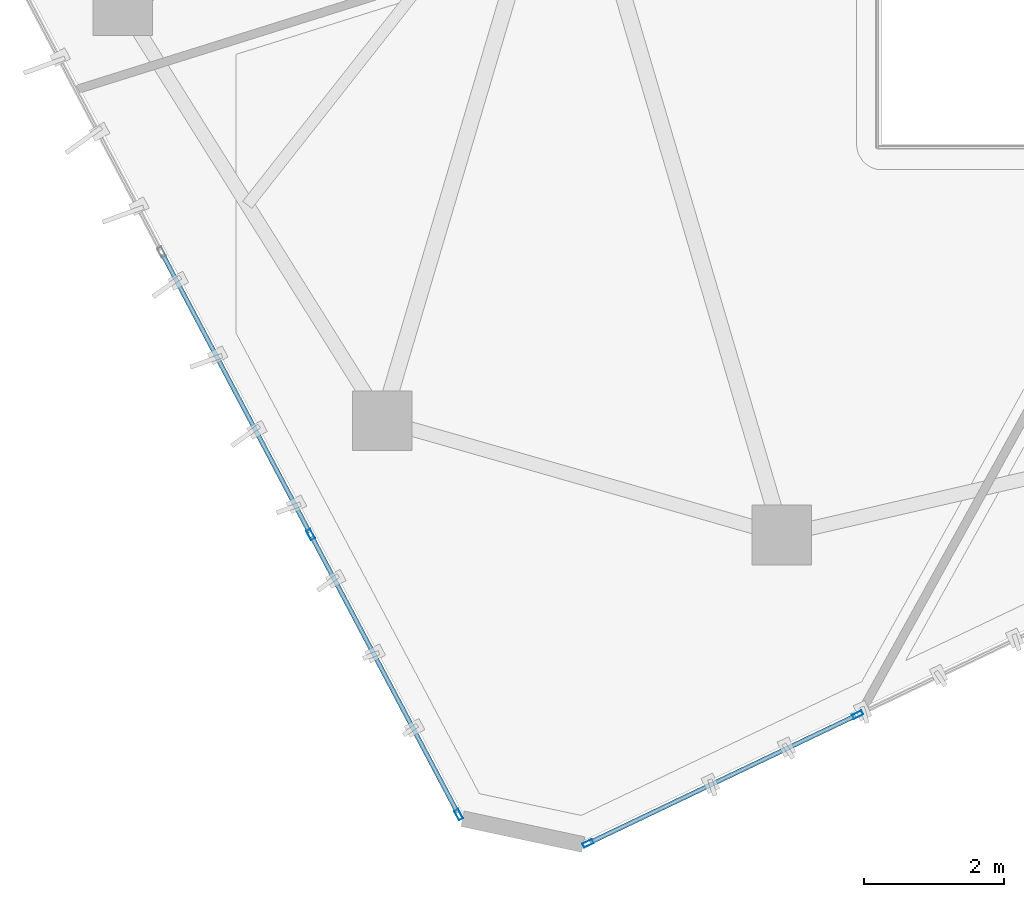
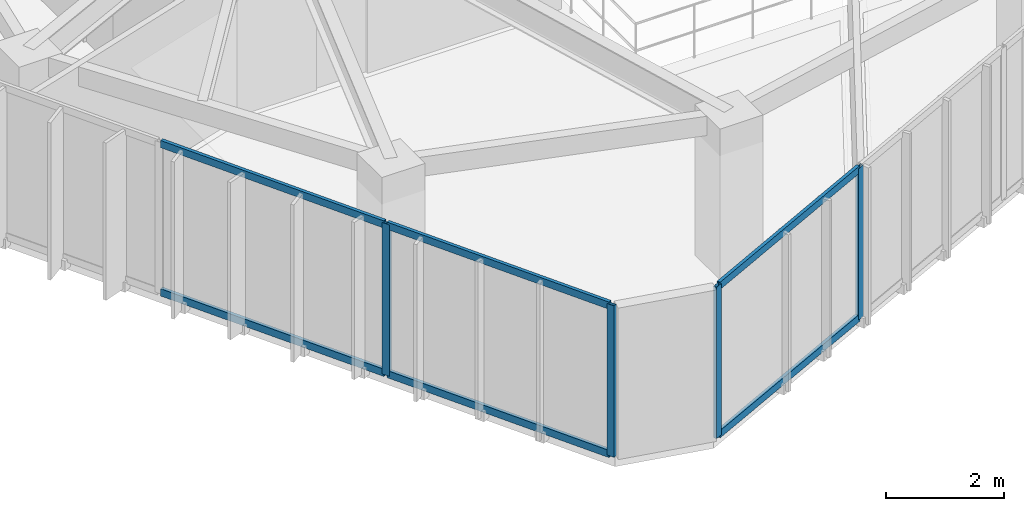
# One storey, part 2 of 20: 10 members, 2 elements without a shape of their own.
"""IFC4 building model written with IfcOpenShell, lengths in metres."""

import ifcopenshell
import ifcopenshell.guid

model = None  # the IFC model being written
_history = None  # IfcOwnerHistory: only IFC2X3 demands one
_inside = {}  # id of a spatial element -> (the spatial element, [elements in it])
_under = {}  # id of a project, library or spatial element -> (it, [spatial elements below it])
_declared = {}  # id of a project -> (the project, [libraries it declares])
_typed = {}  # id of a type object -> (the type object, [elements of that type])
_made_of = {}  # id of a material, layer set ... -> (it, [elements and type objects made of it])


def new_model(schema):
    """Start an empty IFC model of exactly this schema.

    Asked for "IFC4X3", IfcOpenShell would pick the latest addendum, in which some entities
    have other attributes; the version numbers below select the first issue.
    IFC2X3 requires an IfcOwnerHistory on every rooted entity: one is made here for all.
    """
    global model, _history
    if schema == "IFC4X3":
        model = ifcopenshell.file(schema_version=(4, 3, 0, 0))
    else:
        model = ifcopenshell.file(schema=schema)
    _inside.clear()
    _under.clear()
    _declared.clear()
    _typed.clear()
    _made_of.clear()
    _history = None
    if model.schema == "IFC2X3":
        org = make("IfcOrganization", Name="unknown")
        user = make(
            "IfcPersonAndOrganization",
            ThePerson=make("IfcPerson", FamilyName="unknown"),
            TheOrganization=org,
        )
        app = make(
            "IfcApplication",
            ApplicationDeveloper=org,
            Version="unknown",
            ApplicationFullName="unknown",
            ApplicationIdentifier="unknown",
        )
        _history = make(
            "IfcOwnerHistory",
            OwningUser=user,
            OwningApplication=app,
            ChangeAction="ADDED",
            CreationDate=0,
        )
    return model


def make(cls, **values):
    """One entity of the class cls with the attributes given. An attribute that is None is left unset."""
    return model.create_entity(
        cls, **{name: value for name, value in values.items() if value is not None}
    )


def rooted(cls, **values):
    """An entity with a GlobalId (a new one), such as an element, a storey or a relation."""
    return make(cls, GlobalId=ifcopenshell.guid.new(), OwnerHistory=_history, **values)


def si_unit(unit_type, name, prefix=None):
    """IfcSIUnit, for example si_unit("LENGTHUNIT", "METRE", prefix="MILLI")."""
    return make("IfcSIUnit", UnitType=unit_type, Prefix=prefix, Name=name)


def assignment(units):
    """IfcUnitAssignment: the units of a project."""
    return None if units is None else make("IfcUnitAssignment", Units=units)


def point(xyz):
    """IfcCartesianPoint."""
    return None if xyz is None else make("IfcCartesianPoint", Coordinates=xyz)


def direction(xyz):
    """IfcDirection."""
    return None if xyz is None else make("IfcDirection", DirectionRatios=xyz)


def frame(location, z_axis=None, x_axis=None):
    """IfcAxis2Placement3D, a coordinate frame: its origin and axes. An axis left out is left unset."""
    return make(
        "IfcAxis2Placement3D",
        Location=point(location),
        Axis=direction(z_axis),
        RefDirection=direction(x_axis),
    )


def frame_2d(location, x_axis=None):
    """IfcAxis2Placement2D, a coordinate frame in the plane: its origin and x axis."""
    return make(
        "IfcAxis2Placement2D", Location=point(location), RefDirection=direction(x_axis)
    )


def origin():
    """The frame at (0, 0, 0) with its axes left unset."""
    return frame((0.0, 0.0, 0.0))


def origin_2d():
    """The frame at (0, 0) in the plane with its x axis left unset."""
    return frame_2d((0.0, 0.0))


def place(relative_to, where):
    """IfcLocalPlacement: puts the frame where relative to a parent placement (None: the world)."""
    return make(
        "IfcLocalPlacement", PlacementRelTo=relative_to, RelativePlacement=where
    )


def context(
    kind, dimensions, precision=None, world=None, true_north=None, identifier=None
):
    """IfcGeometricRepresentationContext, for example the 3D "Model" context."""
    return make(
        "IfcGeometricRepresentationContext",
        ContextIdentifier=identifier,
        ContextType=kind,
        CoordinateSpaceDimension=dimensions,
        Precision=precision,
        WorldCoordinateSystem=world,
        TrueNorth=true_north,
    )


def subcontext(parent, identifier, kind, view, scale=None):
    """IfcGeometricRepresentationSubContext, for example "Body" below "Model"."""
    return make(
        "IfcGeometricRepresentationSubContext",
        ContextIdentifier=identifier,
        ContextType=kind,
        ParentContext=parent,
        TargetScale=scale,
        TargetView=view,
    )


def project(units=None, contexts=None):
    """IfcProject with its units and contexts."""
    return rooted(
        "IfcProject",
        Name="project",
        RepresentationContexts=contexts,
        UnitsInContext=assignment(units),
    )


def spatial(cls, under=None, at=None, **own):
    """A site, building, storey or space (cls), placed at a placement, below another one or the project."""
    s = rooted(cls, ObjectPlacement=at, **own)
    if under is not None:
        _under.setdefault(under.id(), (under, []))[1].append(s)
    return s


def profile(cls, at=None, kind="AREA", **sizes):
    """A parametric profile (cls). Its sizes go by their IFC names, for example OverallWidth=200.0."""
    return make(cls, ProfileType=kind, Position=at, **sizes)


def hollow_rectangle(**sizes):
    """IfcRectangleHollowProfileDef."""
    return profile("IfcRectangleHollowProfileDef", **sizes)


def extrude(swept, where, along, depth):
    """IfcExtrudedAreaSolid: the profile swept, set in the frame where, extruded along a direction by depth."""
    return make(
        "IfcExtrudedAreaSolid",
        SweptArea=swept,
        Position=where,
        ExtrudedDirection=direction(along),
        Depth=depth,
    )


def shape(context_of_items, identifier, shape_type, items):
    """IfcShapeRepresentation: the items that make up one representation, for example the "Body"."""
    return make(
        "IfcShapeRepresentation",
        ContextOfItems=context_of_items,
        RepresentationIdentifier=identifier,
        RepresentationType=shape_type,
        Items=items,
    )


def source(mapping_origin, context_of_items, identifier, shape_type, items):
    """IfcRepresentationMap: a shape defined once, which mapped items show again and again."""
    return make(
        "IfcRepresentationMap",
        MappingOrigin=mapping_origin,
        MappedRepresentation=shape(context_of_items, identifier, shape_type, items),
    )


def transform(
    local_origin,
    x_axis=None,
    y_axis=None,
    z_axis=None,
    scale=None,
    scale2=None,
    scale3=None,
    uniform=True,
):
    """IfcCartesianTransformationOperator3D, or its non-uniform kind. x_axis, y_axis, z_axis: its Axis1, 2, 3."""
    if uniform:
        return make(
            "IfcCartesianTransformationOperator3D",
            Axis1=direction(x_axis),
            Axis2=direction(y_axis),
            LocalOrigin=point(local_origin),
            Scale=scale,
            Axis3=direction(z_axis),
        )
    return make(
        "IfcCartesianTransformationOperator3DnonUniform",
        Axis1=direction(x_axis),
        Axis2=direction(y_axis),
        LocalOrigin=point(local_origin),
        Scale=scale,
        Axis3=direction(z_axis),
        Scale2=scale2,
        Scale3=scale3,
    )


def mapped(mapping_source, mapping_target):
    """IfcMappedItem: shows the shape of a source again, moved by a transform."""
    return make(
        "IfcMappedItem", MappingSource=mapping_source, MappingTarget=mapping_target
    )


def material(Name=None, Category=None):
    """IfcMaterial."""
    return make("IfcMaterial", Name=Name, Category=Category)


def layer(
    of_material, thickness, ventilated=None, Name=None, Category=None, Priority=None
):
    """IfcMaterialLayer: one layer of a wall or slab, of a material (None: an air gap)."""
    return make(
        "IfcMaterialLayer",
        Material=of_material,
        LayerThickness=thickness,
        IsVentilated=ventilated,
        Name=Name,
        Category=Category,
        Priority=Priority,
    )


def layer_set(layers, Name=None):
    """IfcMaterialLayerSet."""
    return make("IfcMaterialLayerSet", MaterialLayers=layers, LayerSetName=Name)


def material_profile(
    of_material, cross_section, Name=None, Category=None, Priority=None
):
    """IfcMaterialProfile: a cross section and its material."""
    return make(
        "IfcMaterialProfile",
        Name=Name,
        Material=of_material,
        Profile=cross_section,
        Priority=Priority,
        Category=Category,
    )


def profile_set(profiles, Name=None, composite=None):
    """IfcMaterialProfileSet."""
    return make(
        "IfcMaterialProfileSet",
        Name=Name,
        MaterialProfiles=profiles,
        CompositeProfile=composite,
    )


def made_of(thing, what):
    """Note that an element or type object is made of a material, layer set ...; save() writes the relation."""
    if what is not None:
        _made_of.setdefault(what.id(), (what, []))[1].append(thing)
    return thing


def type_object(cls, material=None, **own):
    """A type object (cls), such as IfcWallType, which elements share."""
    return made_of(rooted(cls, **own), material)


def type_shapes(of_type, sources):
    """Give a type object the sources (RepresentationMaps) that its elements show as mapped items."""
    of_type.RepresentationMaps = sources


def element(
    cls,
    number,
    at=None,
    inside=None,
    cuts=None,
    type_object=None,
    material=None,
    context=None,
    identifier="Body",
    shape_type=None,
    held_by="IfcProductDefinitionShape",
    body=None,
    shapes=None,
    **own,
):
    """One element of the class cls, such as IfcWall. Its Tag is "e" and its number.

    at: its placement. inside: the storey or other place that contains it. cuts: it is an
    opening in that element (IfcRelVoidsElement). A single representation is given by context,
    identifier, shape_type and body (its items); several are given by shapes. held_by: the class
    of the entity that holds the representations. save() writes the other relations.
    """
    e = rooted(cls, Tag="e%d" % number, ObjectPlacement=at, **own)
    if body is not None:
        shapes = [shape(context, identifier, shape_type, body)]
    if shapes is not None:
        e.Representation = make(held_by, Representations=shapes)
    if inside is not None:
        _inside.setdefault(inside.id(), (inside, []))[1].append(e)
    if cuts is not None:
        rooted(
            "IfcRelVoidsElement", RelatingBuildingElement=cuts, RelatedOpeningElement=e
        )
    if type_object is not None:
        _typed.setdefault(type_object.id(), (type_object, []))[1].append(e)
    return made_of(e, material)


def aggregate(whole, parts):
    """IfcRelAggregates: a whole, such as a stair, and the parts it consists of."""
    return rooted("IfcRelAggregates", RelatingObject=whole, RelatedObjects=parts)


def save(model, path):
    """Write the relations noted so far, then the file.

    IfcRelAggregates (storeys below a building ...), IfcRelContainedInSpatialStructure (elements
    in a storey), IfcRelDefinesByType, IfcRelAssociatesMaterial and IfcRelDeclares: one each for
    every whole, place, type object, material and project.
    """
    for whole, parts in _under.values():
        aggregate(whole, parts)
    for where, things in _inside.values():
        rooted(
            "IfcRelContainedInSpatialStructure",
            RelatedElements=things,
            RelatingStructure=where,
        )
    for kind, things in _typed.values():
        rooted("IfcRelDefinesByType", RelatedObjects=things, RelatingType=kind)
    for what, things in _made_of.values():
        rooted("IfcRelAssociatesMaterial", RelatedObjects=things, RelatingMaterial=what)
    for by, libraries in _declared.values():
        rooted("IfcRelDeclares", RelatingContext=by, RelatedDefinitions=libraries)
    model.write(path)


model = new_model("IFC4")

# Units and contexts
model_context = context("Model", 3, precision=1e-05, world=origin(), true_north=direction((0.0, 1.0)))
body_context = subcontext(model_context, "Body", "Model", "MODEL_VIEW")
ifc_project = project(units=[si_unit("LENGTHUNIT", "METRE"), si_unit("AREAUNIT", "SQUARE_METRE"), si_unit("VOLUMEUNIT", "CUBIC_METRE"), si_unit("PLANEANGLEUNIT", "RADIAN"), si_unit("MASSUNIT", "GRAM", prefix="KILO")], contexts=[model_context])

# Site, building, storey
site_placement = place(None, origin())
site = spatial("IfcSite", under=ifc_project, at=site_placement, CompositionType="ELEMENT")
building_placement = place(site_placement, origin())
building = spatial("IfcBuilding", under=site, at=building_placement, Name="Talar Marvaseh", CompositionType="ELEMENT")
storey_placement = place(building_placement, frame((0.0, 0.0, 268.0)))
storey = spatial("IfcBuildingStorey", under=building, at=storey_placement, Name="L71", CompositionType="ELEMENT", Elevation=268.0)

# Curtain wall, members
ifc_material = material(Name="Architectural Aluminium", Category="aluminium")
ifc_layer = layer(ifc_material, 0.179931640625)
ifc_layer_set = layer_set([ifc_layer], Name="Architectural Aluminium")
curtain_wall_type = type_object("IfcCurtainWallType", Name="Unitised High-Wind Sky Curtain Wall Z4", PredefinedType="NOTDEFINED", material=ifc_layer_set)
curtain_wall_1_placement = place(storey_placement, origin())
curtain_wall_1 = element("IfcCurtainWall", 1, at=curtain_wall_1_placement, inside=storey, type_object=curtain_wall_type, Name="L71 Unitised High-Wind Sky Curtain Wall Z4", PredefinedType="NOTDEFINED")
ifc_material_profile_1 = material_profile(ifc_material, hollow_rectangle(XDim=0.06494140625, YDim=0.14990234375, WallThickness=0.00390625, at=origin_2d()), Name="RHS150x65x4")
ifc_profile_set_1 = profile_set([ifc_material_profile_1], Name="Architectural Aluminium")
member_type_1 = type_object("IfcMemberType", Name="Unitised Curtain Wall Slim Mullion RHS150x65x4", PredefinedType="MULLION", material=ifc_profile_set_1)
shared_shape_1 = source(origin(), body_context, "Body", "SweptSolid", [
    extrude(hollow_rectangle(XDim=0.06494140625, YDim=0.14990234375, WallThickness=0.00390625, at=origin_2d()), origin(), (0.0, 0.0, 1.0), 3.139892578125),
])
type_shapes(member_type_1, [shared_shape_1])
member_1_placement = place(storey_placement, frame((17.173828125, 11.058837890625, 0.0), z_axis=(0.0, 0.0, 1.0), x_axis=(-0.884205557891, -0.467097989071, 0.0)))
member_1 = element("IfcMember", 2, at=member_1_placement, type_object=member_type_1, Name="CW-Z4 mullion 1", PredefinedType="MULLION", context=body_context, shape_type="MappedRepresentation", body=[
    mapped(shared_shape_1, transform((0.0, 0.0, 0.0), x_axis=(1.0, 0.0, 0.0), y_axis=(0.0, 1.0, 0.0), z_axis=(0.0, 0.0, 1.0), scale=1.0)),
])
member_2_placement = place(storey_placement, frame((15.06591796875, 15.048583984375, 0.0), z_axis=(0.0, 0.0, 1.0), x_axis=(-0.884205557891, -0.467097989071, 0.0)))
member_2 = element("IfcMember", 3, at=member_2_placement, type_object=member_type_1, Name="CW-Z4 mullion 2", PredefinedType="MULLION", context=body_context, shape_type="MappedRepresentation", body=[
    mapped(shared_shape_1, transform((0.0, 0.0, 0.0), x_axis=(1.0, 0.0, 0.0), y_axis=(0.0, 1.0, 0.0), z_axis=(0.0, 0.0, 1.0), scale=1.0)),
])

curtain_wall_2_placement = place(storey_placement, origin())
curtain_wall_2 = element("IfcCurtainWall", 4, at=curtain_wall_2_placement, inside=storey, type_object=curtain_wall_type, Name="L71 Unitised High-Wind Sky Curtain Wall Z4", PredefinedType="NOTDEFINED")
member_3_placement = place(storey_placement, frame((22.855224609375, 12.48193359375, 0.0), z_axis=(0.0, 0.0, 1.0), x_axis=(0.430654764719, -0.902516744235, 0.0)))
member_3 = element("IfcMember", 5, at=member_3_placement, type_object=member_type_1, Name="CW-Z4 mullion 4", PredefinedType="MULLION", context=body_context, shape_type="MappedRepresentation", body=[
    mapped(shared_shape_1, transform((0.0, 0.0, 0.0), x_axis=(1.0, 0.0, 0.0), y_axis=(0.0, 1.0, 0.0), z_axis=(0.0, 0.0, 1.0), scale=1.0)),
])
member_4_placement = place(storey_placement, frame((19.01611328125, 10.650146484375, 0.0), z_axis=(0.0, 0.0, 1.0), x_axis=(0.430654764719, -0.902516744235, 0.0)))
member_4 = element("IfcMember", 6, at=member_4_placement, type_object=member_type_1, Name="CW-Z4 mullion 5", PredefinedType="MULLION", context=body_context, shape_type="MappedRepresentation", body=[
    mapped(shared_shape_1, transform((0.0, 0.0, 0.0), x_axis=(1.0, 0.0, 0.0), y_axis=(0.0, 1.0, 0.0), z_axis=(0.0, 0.0, 1.0), scale=1.0)),
])

# Member
ifc_material_profile_2 = material_profile(ifc_material, hollow_rectangle(XDim=0.06494140625, YDim=0.14990234375, WallThickness=0.00390625, at=origin_2d()), Name="RHS150x65x4")
ifc_profile_set_2 = profile_set([ifc_material_profile_2], Name="Architectural Aluminium")
member_type_2 = type_object("IfcMemberType", Name="Unitised Curtain Wall Slim Transom RHS150x65x4", PredefinedType="USERDEFINED", material=ifc_profile_set_2)
shared_shape_2 = source(origin(), body_context, "Body", "SweptSolid", [
    extrude(hollow_rectangle(XDim=0.06494140625, YDim=0.14990234375, WallThickness=0.00390625, at=origin_2d()), origin(), (0.0, 0.0, 1.0), 4.447265625),
])
member_5_placement = place(storey_placement, frame((17.158447265625, 11.087646484375, 0.032470703125), z_axis=(-0.467062728009, 0.884224184302, 0.0), x_axis=(-0.884224184302, -0.467062728009, 0.0)))
member_5 = element("IfcMember", 7, at=member_5_placement, type_object=member_type_2, Name="CW-Z4 transom 1.1", ObjectType="TRANSOM", PredefinedType="USERDEFINED", context=body_context, shape_type="MappedRepresentation", body=[
    mapped(shared_shape_2, transform((0.0, 0.0, 0.0), x_axis=(1.0, 0.0, 0.0), y_axis=(0.0, 1.0, 0.0), z_axis=(0.0, 0.0, 1.0), scale=1.0)),
])

member_6_placement = place(storey_placement, frame((17.158447265625, 11.087646484375, 3.107421875), z_axis=(-0.467062728009, 0.884224184302, 0.0), x_axis=(-0.884224184302, -0.467062728009, 0.0)))
member_6 = element("IfcMember", 8, at=member_6_placement, type_object=member_type_2, Name="CW-Z4 transom 1.2", ObjectType="TRANSOM", PredefinedType="USERDEFINED", context=body_context, shape_type="MappedRepresentation", body=[
    mapped(shared_shape_2, transform((0.0, 0.0, 0.0), x_axis=(1.0, 0.0, 0.0), y_axis=(0.0, 1.0, 0.0), z_axis=(0.0, 0.0, 1.0), scale=1.0)),
])

shared_shape_3 = source(origin(), body_context, "Body", "SweptSolid", [
    extrude(hollow_rectangle(XDim=0.06494140625, YDim=0.14990234375, WallThickness=0.00390625, at=origin_2d()), origin(), (0.0, 0.0, 1.0), 4.47998046875),
])
member_7_placement = place(storey_placement, frame((15.05078125, 15.077392578125, 0.032470703125), z_axis=(-0.467091289429, 0.884209097069, 0.0), x_axis=(-0.884209097069, -0.467091289429, 0.0)))
member_7 = element("IfcMember", 9, at=member_7_placement, type_object=member_type_2, Name="CW-Z4 transom 2.1", ObjectType="TRANSOM", PredefinedType="USERDEFINED", context=body_context, shape_type="MappedRepresentation", body=[
    mapped(shared_shape_3, transform((0.0, 0.0, 0.0), x_axis=(1.0, 0.0, 0.0), y_axis=(0.0, 1.0, 0.0), z_axis=(0.0, 0.0, 1.0), scale=1.0)),
])

member_8_placement = place(storey_placement, frame((15.05078125, 15.077392578125, 3.107421875), z_axis=(-0.467091289429, 0.884209097069, 0.0), x_axis=(-0.884209097069, -0.467091289429, 0.0)))
member_8 = element("IfcMember", 10, at=member_8_placement, type_object=member_type_2, Name="CW-Z4 transom 2.2", ObjectType="TRANSOM", PredefinedType="USERDEFINED", context=body_context, shape_type="MappedRepresentation", body=[
    mapped(shared_shape_3, transform((0.0, 0.0, 0.0), x_axis=(1.0, 0.0, 0.0), y_axis=(0.0, 1.0, 0.0), z_axis=(0.0, 0.0, 1.0), scale=1.0)),
])

aggregate(curtain_wall_1, [member_1, member_2, member_5, member_6, member_7, member_8])

shared_shape_4 = source(origin(), body_context, "Body", "SweptSolid", [
    extrude(hollow_rectangle(XDim=0.06494140625, YDim=0.14990234375, WallThickness=0.00390625, at=origin_2d()), origin(), (0.0, 0.0, 1.0), 4.188720703125),
])
type_shapes(member_type_2, [shared_shape_2, shared_shape_3, shared_shape_4])
member_9_placement = place(storey_placement, frame((22.825927734375, 12.468017578125, 0.032470703125), z_axis=(-0.902505753435, -0.430677797218, 0.0), x_axis=(0.430677797218, -0.902505753435, 0.0)))
member_9 = element("IfcMember", 11, at=member_9_placement, type_object=member_type_2, Name="CW-Z4 transom 4.1", ObjectType="TRANSOM", PredefinedType="USERDEFINED", context=body_context, shape_type="MappedRepresentation", body=[
    mapped(shared_shape_4, transform((0.0, 0.0, 0.0), x_axis=(1.0, 0.0, 0.0), y_axis=(0.0, 1.0, 0.0), z_axis=(0.0, 0.0, 1.0), scale=1.0)),
])

member_10_placement = place(storey_placement, frame((22.825927734375, 12.468017578125, 3.107421875), z_axis=(-0.902505753435, -0.430677797218, 0.0), x_axis=(0.430677797218, -0.902505753435, 0.0)))
member_10 = element("IfcMember", 12, at=member_10_placement, type_object=member_type_2, Name="CW-Z4 transom 4.2", ObjectType="TRANSOM", PredefinedType="USERDEFINED", context=body_context, shape_type="MappedRepresentation", body=[
    mapped(shared_shape_4, transform((0.0, 0.0, 0.0), x_axis=(1.0, 0.0, 0.0), y_axis=(0.0, 1.0, 0.0), z_axis=(0.0, 0.0, 1.0), scale=1.0)),
])

aggregate(curtain_wall_2, [member_3, member_4, member_9, member_10])

save(model, "model.ifc")
